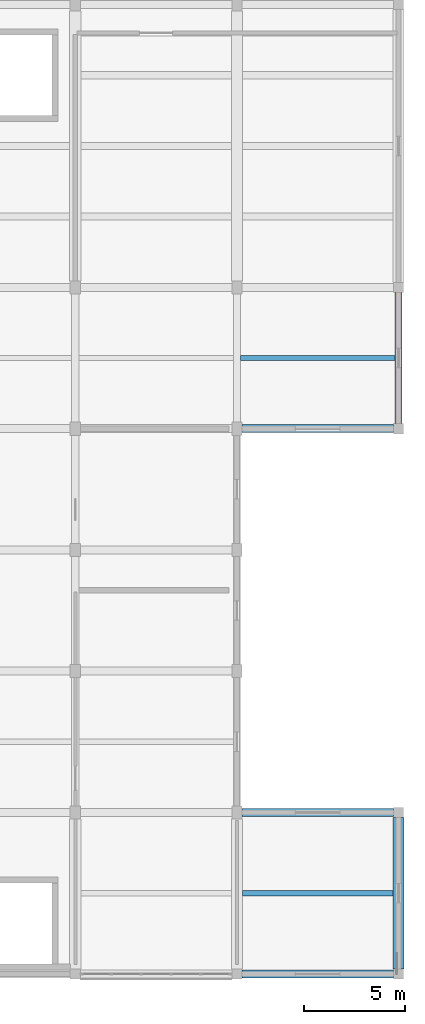
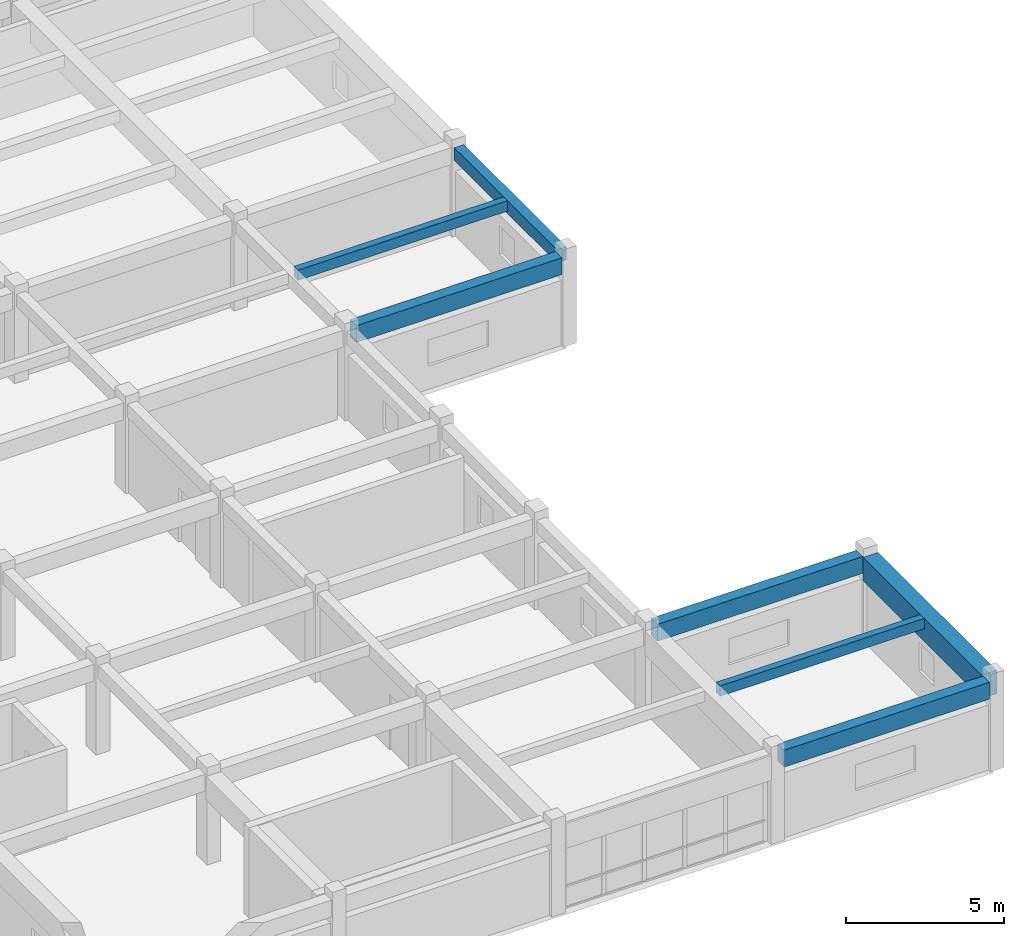
# One storey, part 6 of 17: 7 beams.
"""IFC4 building model written with IfcOpenShell, lengths in metres."""

from ifc_helpers import new_model, si_unit, direction, frame, origin, origin_2d, place, context, subcontext, project, spatial, rectangle, extrude, material, material_profile, profile_set, type_object, element, save


model = new_model("IFC4")

# Units and contexts
model_context = context("Model", 3, precision=1e-05, world=origin(), true_north=direction((0.0, 1.0)))
body_context = subcontext(model_context, "Body", "Model", "MODEL_VIEW")
ifc_project = project(units=[si_unit("LENGTHUNIT", "METRE"), si_unit("AREAUNIT", "SQUARE_METRE"), si_unit("VOLUMEUNIT", "CUBIC_METRE"), si_unit("PLANEANGLEUNIT", "RADIAN"), si_unit("MASSUNIT", "GRAM", prefix="KILO")], contexts=[model_context])

# Site, building, storey
site_placement = place(None, origin())
site = spatial("IfcSite", under=ifc_project, at=site_placement, CompositionType="ELEMENT")
building_placement = place(site_placement, origin())
building = spatial("IfcBuilding", under=site, at=building_placement, Name="Naurynzar Civic Courthouse", CompositionType="ELEMENT")
storey_placement = place(building_placement, frame((0.0, 0.0, 29.550048828125)))
storey = spatial("IfcBuildingStorey", under=building, at=storey_placement, Name="L08", CompositionType="ELEMENT", Elevation=29.550048828125)

# Beams
ifc_material_1 = material(Name="Concrete C40/50", Category="concrete")
ifc_material_profile_1 = material_profile(ifc_material_1, rectangle(XDim=0.25, YDim=0.39990234375, at=origin_2d()), Name="RCB 250x400")
ifc_profile_set_1 = profile_set([ifc_material_profile_1], Name="Concrete C40/50")
beam_type_1 = type_object("IfcBeamType", Name="BM-JST-250x400", PredefinedType="JOIST", material=ifc_profile_set_1)
beam_1_placement = place(storey_placement, frame((154.27490234375, 21.0, 3.22998046875), z_axis=(1.0, 0.0, 0.0), x_axis=(0.0, 1.0, 0.0)))
element("IfcBeam", 1, at=beam_1_placement, inside=storey, type_object=beam_type_1, Name="V5 secondary rib 2968 L08", PredefinedType="JOIST", context=body_context, shape_type="SweptSolid", body=[
    extrude(rectangle(XDim=0.25, YDim=0.39990234375, at=origin_2d()), origin(), (0.0, 0.0, 1.0), 7.4501953125),
])
beam_2_placement = place(storey_placement, frame((154.175048828125, 47.5, 3.22998046875), z_axis=(1.0, 0.0, 0.0), x_axis=(0.0, 1.0, 0.0)))
element("IfcBeam", 2, at=beam_2_placement, inside=storey, type_object=beam_type_1, Name="V5 secondary rib 2974 L08", PredefinedType="JOIST", context=body_context, shape_type="SweptSolid", body=[
    extrude(rectangle(XDim=0.25, YDim=0.39990234375, at=origin_2d()), origin(), (0.0, 0.0, 1.0), 7.64990234375),
])
ifc_material_2 = material(Name="Concrete C40/50", Category="concrete")
ifc_material_profile_2 = material_profile(ifc_material_2, rectangle(XDim=0.35009765625, YDim=0.5, at=origin_2d()), Name="RCB 350x500")
ifc_profile_set_2 = profile_set([ifc_material_profile_2], Name="Concrete C40/50")
beam_type_2 = type_object("IfcBeamType", Name="BM-RC-350x500", PredefinedType="BEAM", material=ifc_profile_set_2)
beam_3_placement = place(storey_placement, frame((162.0, 44.25, 3.179931640625), z_axis=(0.0, 1.0, 0.0), x_axis=(-1.0, 0.0, 0.0)))
element("IfcBeam", 3, at=beam_3_placement, inside=storey, type_object=beam_type_2, Name="V5 girder Y-2964 L08", PredefinedType="BEAM", context=body_context, shape_type="SweptSolid", body=[
    extrude(rectangle(XDim=0.35009765625, YDim=0.5, at=origin_2d()), origin(), (0.0, 0.0, 1.0), 6.5),
])
ifc_material_3 = material(Name="Concrete C40/50", Category="concrete")
ifc_material_profile_3 = material_profile(ifc_material_3, rectangle(XDim=0.39990234375, YDim=0.64990234375, at=origin_2d()), Name="RCB 400x650")
ifc_profile_set_3 = profile_set([ifc_material_profile_3], Name="Concrete C40/50")
beam_type_3 = type_object("IfcBeamType", Name="BM-RC-400x650", PredefinedType="BEAM", material=ifc_profile_set_3)
for number, where, z_axis, x_axis, name in (
    (4, (154.25, 17.0, 3.10498046875), (1.0, 0.0, 0.0), (0.0, 1.0, 0.0), "V5 beam X-2908 L08"),
    (5, (154.25, 25.0, 3.10498046875), (1.0, 0.0, 0.0), (0.0, 1.0, 0.0), "V5 beam X-2912 L08"),
    (6, (154.25, 44.0, 3.10498046875), (1.0, 0.0, 0.0), (0.0, 1.0, 0.0), "V5 beam X-2922 L08"),
):
    element("IfcBeam", number, at=place(storey_placement, frame(where, z_axis=z_axis, x_axis=x_axis)), inside=storey, type_object=beam_type_3, Name=name, PredefinedType="BEAM", context=body_context, shape_type="SweptSolid", body=[
        extrude(rectangle(XDim=0.39990234375, YDim=0.64990234375, at=origin_2d()), origin(), (0.0, 0.0, 1.0), 7.5),
    ])
ifc_material_4 = material(Name="Concrete C40/50", Category="concrete")
ifc_material_profile_4 = material_profile(ifc_material_4, rectangle(XDim=0.550048828125, YDim=0.89990234375, at=origin_2d()), Name="RCB 550x900")
ifc_profile_set_4 = profile_set([ifc_material_profile_4], Name="Concrete C40/50")
beam_type_4 = type_object("IfcBeamType", Name="BM-RC-550x900", PredefinedType="T_BEAM", material=ifc_profile_set_4)
beam_4_placement = place(storey_placement, frame((162.0, 17.25, 2.97998046875), z_axis=(0.0, 1.0, 0.0), x_axis=(-1.0, 0.0, 0.0)))
element("IfcBeam", 7, at=beam_4_placement, inside=storey, type_object=beam_type_4, Name="V5 girder Y-2963 L08", PredefinedType="T_BEAM", context=body_context, shape_type="SweptSolid", body=[
    extrude(rectangle(XDim=0.550048828125, YDim=0.89990234375, at=origin_2d()), origin(), (0.0, 0.0, 1.0), 7.5),
])

save(model, "model.ifc")
